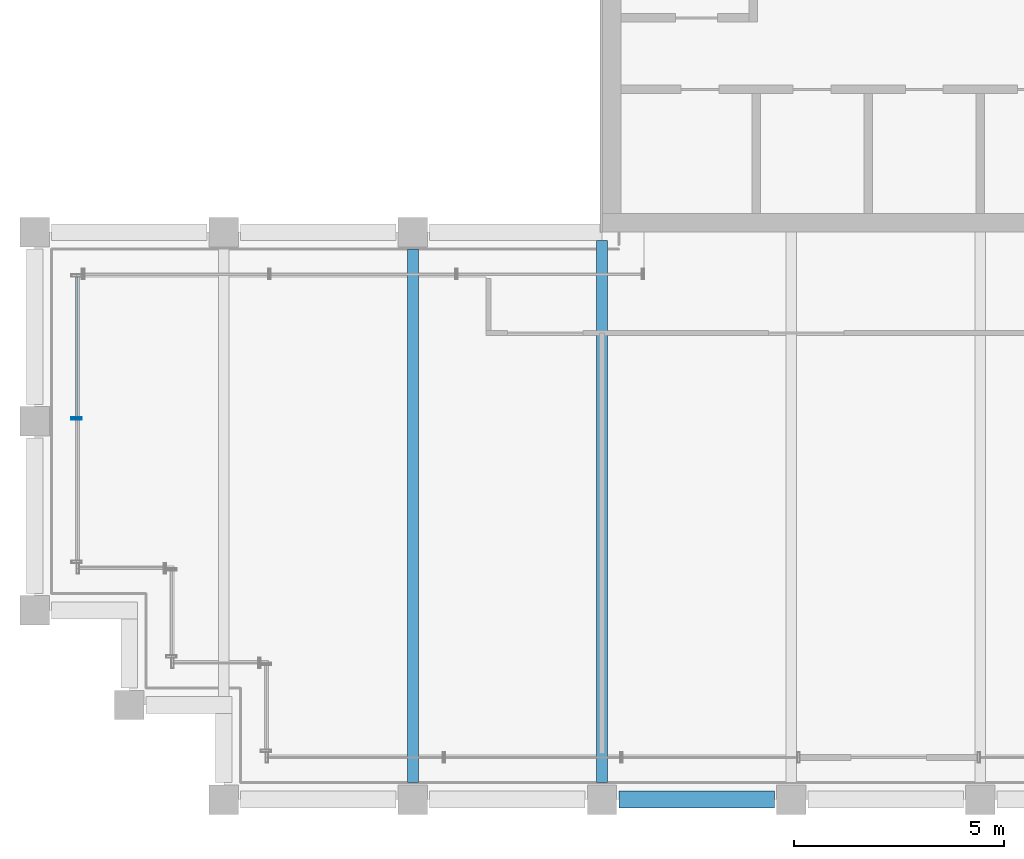
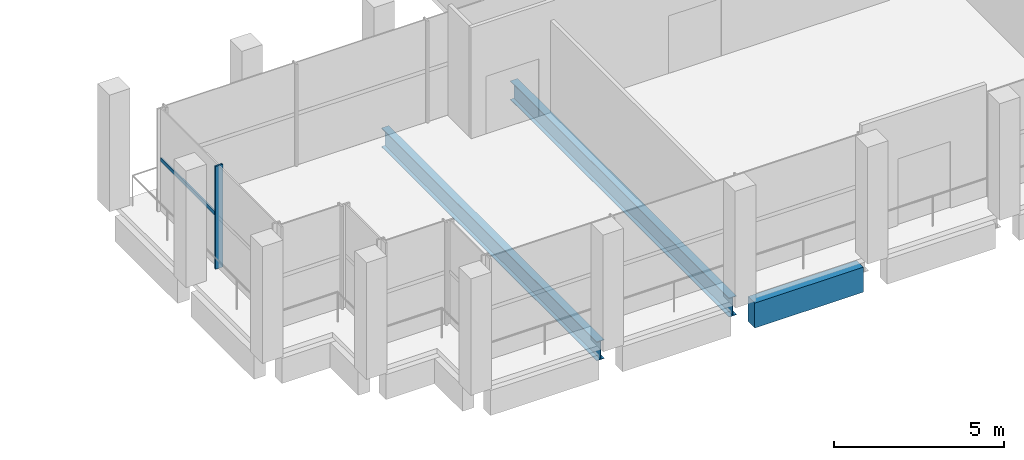
# One storey, part 3 of 17: 3 beams, 2 members, 1 element without a shape of its own.
"""IFC4 building model written with IfcOpenShell, lengths in metres."""

from ifc_helpers import new_model, si_unit, direction, frame, origin, origin_2d, place, context, subcontext, project, spatial, rectangle, hollow_rectangle, i_section, extrude, material, material_profile, profile_set, type_object, element, aggregate, save


model = new_model("IFC4")

# Units and contexts
model_context = context("Model", 3, precision=1e-05, world=origin(), true_north=direction((0.0, 1.0)))
body_context = subcontext(model_context, "Body", "Model", "MODEL_VIEW")
ifc_project = project(units=[si_unit("LENGTHUNIT", "METRE"), si_unit("AREAUNIT", "SQUARE_METRE"), si_unit("VOLUMEUNIT", "CUBIC_METRE"), si_unit("PLANEANGLEUNIT", "RADIAN"), si_unit("MASSUNIT", "GRAM", prefix="KILO")], contexts=[model_context])

# Site, building, storey
site_placement = place(None, origin())
site = spatial("IfcSite", under=ifc_project, at=site_placement, CompositionType="ELEMENT")
building_placement = place(site_placement, origin())
building = spatial("IfcBuilding", under=site, at=building_placement, Name="Altepetl Exchange Towers", CompositionType="ELEMENT")
storey_placement = place(building_placement, frame((0.0, 0.0, 251.0)))
storey = spatial("IfcBuildingStorey", under=building, at=storey_placement, Name="L64", CompositionType="ELEMENT", Elevation=251.0)

# Beams
ifc_material_1 = material(Name="Steel S355", Category="steel")
ifc_material_profile_1 = material_profile(ifc_material_1, i_section(OverallWidth=0.25390625, OverallDepth=0.68408203125, WebThickness=0.012451171875, FlangeThickness=0.018798828125, at=origin_2d()), Name="W27X94")
ifc_profile_set_1 = profile_set([ifc_material_profile_1], Name="Steel S355")
beam_type_1 = type_object("IfcBeamType", Name="Floor beam W27X94", PredefinedType="BEAM", material=ifc_profile_set_1)
beam_1_placement = place(storey_placement, frame((36.0, 27.39990234375, -0.51708984375), z_axis=(0.0, 1.0, 0.0), x_axis=(-1.0, 0.0, 0.0)))
element("IfcBeam", 1, at=beam_1_placement, inside=storey, type_object=beam_type_1, Name="bm:A:L64:013", PredefinedType="BEAM", context=body_context, shape_type="SweptSolid", body=[
    extrude(i_section(OverallWidth=0.25390625, OverallDepth=0.68408203125, WebThickness=0.012451171875, FlangeThickness=0.018798828125, at=origin_2d()), origin(), (0.0, 0.0, 1.0), 12.7001953125),
])
beam_2_placement = place(storey_placement, frame((40.5, 27.39990234375, -0.51708984375), z_axis=(0.0, 1.0, 0.0), x_axis=(-1.0, 0.0, 0.0)))
element("IfcBeam", 2, at=beam_2_placement, inside=storey, type_object=beam_type_1, Name="bm:A:L64:014", PredefinedType="BEAM", context=body_context, shape_type="SweptSolid", body=[
    extrude(i_section(OverallWidth=0.25390625, OverallDepth=0.68408203125, WebThickness=0.012451171875, FlangeThickness=0.018798828125, at=origin_2d()), origin(), (0.0, 0.0, 1.0), 12.900146484375),
])

# Curtain wall, member
ifc_material_2 = material(Name="Aluminium 6063-T6 glazing", Category="aluminium")
curtain_wall_type = type_object("IfcCurtainWallType", Name="Executive flush glazing system", PredefinedType="NOTDEFINED", material=ifc_material_2)
curtain_wall_placement = place(storey_placement, origin())
curtain_wall = element("IfcCurtainWall", 3, at=curtain_wall_placement, inside=storey, type_object=curtain_wall_type, Name="CW4 run", PredefinedType="NOTDEFINED")
ifc_material_3 = material(Name="Aluminium 6063-T6", Category="aluminium")
ifc_material_profile_2 = material_profile(ifc_material_3, hollow_rectangle(XDim=0.06005859375, YDim=0.25, WallThickness=0.0029296875, at=origin_2d()), Name="Mullion 60x250 hollow aluminium")
ifc_profile_set_2 = profile_set([ifc_material_profile_2], Name="Aluminium 6063-T6")
member_type_1 = type_object("IfcMemberType", Name="Mullion 60x250 hollow aluminium", PredefinedType="MULLION", material=ifc_profile_set_2)
member_1_placement = place(storey_placement, frame((28.0, 36.0625, 0.0), z_axis=(0.0, 0.0, 1.0), x_axis=(0.0, -1.0, 0.0)))
member_1 = element("IfcMember", 4, at=member_1_placement, type_object=member_type_1, Name="MU3 mullion", PredefinedType="MULLION", context=body_context, shape_type="SweptSolid", body=[
    extrude(hollow_rectangle(XDim=0.06005859375, YDim=0.25, WallThickness=0.0029296875, at=origin_2d()), origin(), (0.0, 0.0, 1.0), 3.699951171875),
])

# Beam
ifc_material_4 = material(Name="Concrete C50/60 precast with cantera blanca facing", Category="concrete")
ifc_material_profile_3 = material_profile(ifc_material_4, rectangle(XDim=0.39990234375, YDim=0.89990234375, at=origin_2d()), Name="400 x 900")
ifc_profile_set_3 = profile_set([ifc_material_profile_3], Name="Concrete C50/60 precast with cantera blanca facing")
beam_type_2 = type_object("IfcBeamType", Name="Spandrel beam 400x900 cantera blanca", PredefinedType="SPANDREL", material=ifc_profile_set_3)
beam_3_placement = place(storey_placement, frame((40.89990234375, 27.0, -0.625), z_axis=(1.0, 0.0, 0.0), x_axis=(0.0, 1.0, 0.0)))
element("IfcBeam", 5, at=beam_3_placement, inside=storey, type_object=beam_type_2, Name="sp:A:L64:002", PredefinedType="SPANDREL", context=body_context, shape_type="SweptSolid", body=[
    extrude(rectangle(XDim=0.39990234375, YDim=0.89990234375, at=origin_2d()), origin(), (0.0, 0.0, 1.0), 3.7001953125),
])

# Member
ifc_material_profile_4 = material_profile(ifc_material_3, hollow_rectangle(XDim=0.050048828125, YDim=0.139892578125, WallThickness=0.0029296875, at=origin_2d()), Name="Transom 50x140 hollow aluminium")
ifc_profile_set_4 = profile_set([ifc_material_profile_4], Name="Aluminium 6063-T6")
member_type_2 = type_object("IfcMemberType", Name="Transom 50x140 hollow aluminium", PredefinedType="USERDEFINED", material=ifc_profile_set_4)
member_2_placement = place(storey_placement, frame((28.0, 39.43994140625, 1.85009765625), z_axis=(0.0, -1.0, 0.0), x_axis=(1.0, 0.0, 0.0)))
member_2 = element("IfcMember", 6, at=member_2_placement, type_object=member_type_2, Name="TR2 transom", ObjectType="TRANSOM", PredefinedType="USERDEFINED", context=body_context, shape_type="SweptSolid", body=[
    extrude(hollow_rectangle(XDim=0.050048828125, YDim=0.139892578125, WallThickness=0.0029296875, at=origin_2d()), origin(), (0.0, 0.0, 1.0), 3.347412109375),
])

aggregate(curtain_wall, [member_1, member_2])

save(model, "model.ifc")
